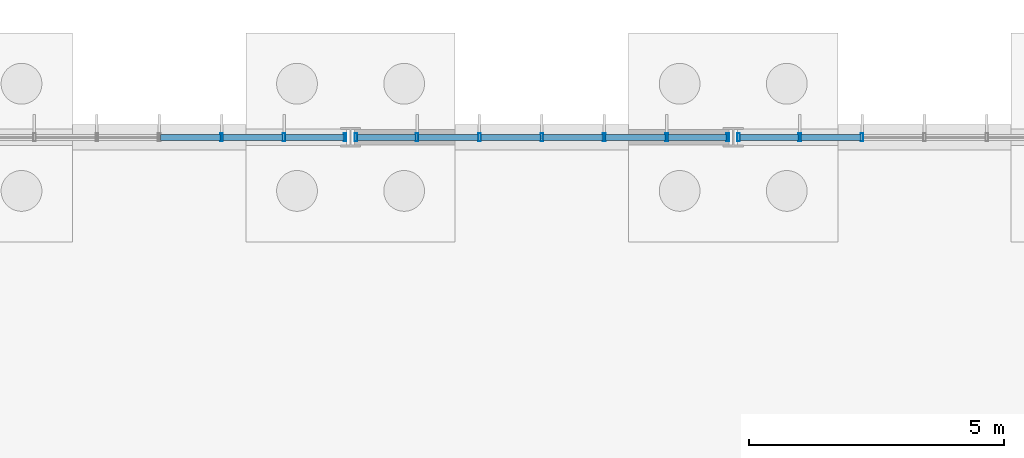
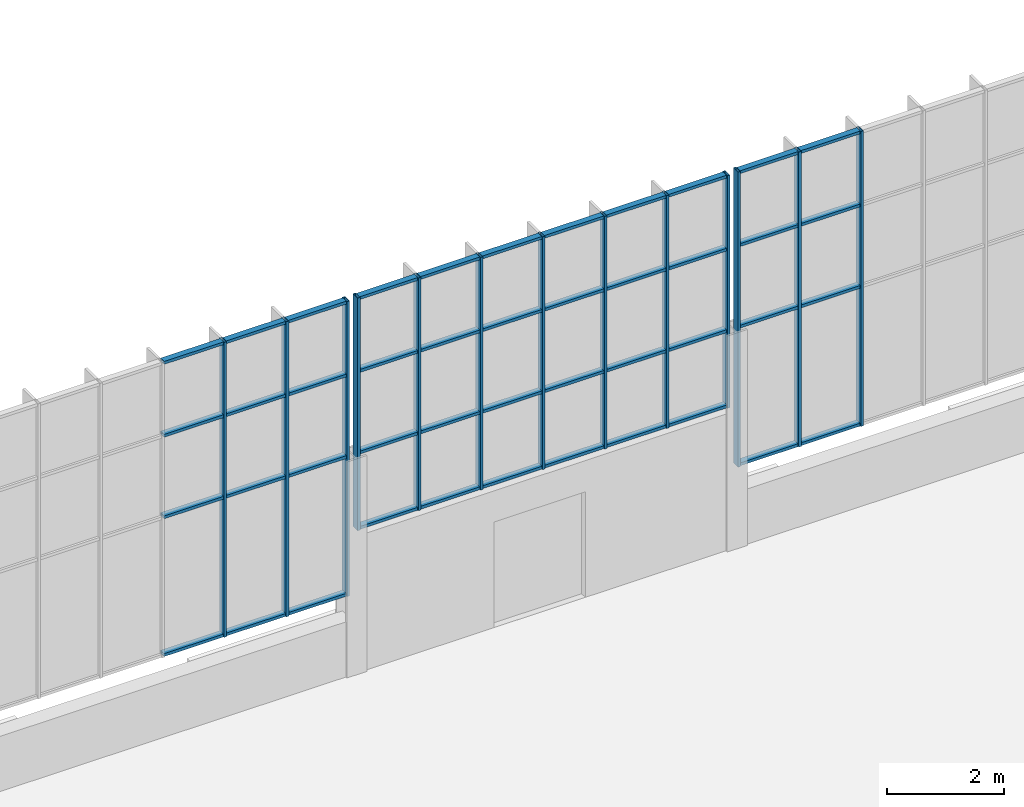
# One storey, part 68 of 136: 57 members, 3 elements without a shape of their own.
"""IFC4 building model written with IfcOpenShell, lengths in metres."""

import ifcopenshell
import ifcopenshell.guid

model = None  # the IFC model being written
_history = None  # IfcOwnerHistory: only IFC2X3 demands one
_inside = {}  # id of a spatial element -> (the spatial element, [elements in it])
_under = {}  # id of a project, library or spatial element -> (it, [spatial elements below it])
_declared = {}  # id of a project -> (the project, [libraries it declares])
_typed = {}  # id of a type object -> (the type object, [elements of that type])
_made_of = {}  # id of a material, layer set ... -> (it, [elements and type objects made of it])


def new_model(schema):
    """Start an empty IFC model of exactly this schema.

    Asked for "IFC4X3", IfcOpenShell would pick the latest addendum, in which some entities
    have other attributes; the version numbers below select the first issue.
    IFC2X3 requires an IfcOwnerHistory on every rooted entity: one is made here for all.
    """
    global model, _history
    if schema == "IFC4X3":
        model = ifcopenshell.file(schema_version=(4, 3, 0, 0))
    else:
        model = ifcopenshell.file(schema=schema)
    _inside.clear()
    _under.clear()
    _declared.clear()
    _typed.clear()
    _made_of.clear()
    _history = None
    if model.schema == "IFC2X3":
        org = make("IfcOrganization", Name="unknown")
        user = make(
            "IfcPersonAndOrganization",
            ThePerson=make("IfcPerson", FamilyName="unknown"),
            TheOrganization=org,
        )
        app = make(
            "IfcApplication",
            ApplicationDeveloper=org,
            Version="unknown",
            ApplicationFullName="unknown",
            ApplicationIdentifier="unknown",
        )
        _history = make(
            "IfcOwnerHistory",
            OwningUser=user,
            OwningApplication=app,
            ChangeAction="ADDED",
            CreationDate=0,
        )
    return model


def make(cls, **values):
    """One entity of the class cls with the attributes given. An attribute that is None is left unset."""
    return model.create_entity(
        cls, **{name: value for name, value in values.items() if value is not None}
    )


def rooted(cls, **values):
    """An entity with a GlobalId (a new one), such as an element, a storey or a relation."""
    return make(cls, GlobalId=ifcopenshell.guid.new(), OwnerHistory=_history, **values)


def si_unit(unit_type, name, prefix=None):
    """IfcSIUnit, for example si_unit("LENGTHUNIT", "METRE", prefix="MILLI")."""
    return make("IfcSIUnit", UnitType=unit_type, Prefix=prefix, Name=name)


def assignment(units):
    """IfcUnitAssignment: the units of a project."""
    return None if units is None else make("IfcUnitAssignment", Units=units)


def point(xyz):
    """IfcCartesianPoint."""
    return None if xyz is None else make("IfcCartesianPoint", Coordinates=xyz)


def direction(xyz):
    """IfcDirection."""
    return None if xyz is None else make("IfcDirection", DirectionRatios=xyz)


def frame(location, z_axis=None, x_axis=None):
    """IfcAxis2Placement3D, a coordinate frame: its origin and axes. An axis left out is left unset."""
    return make(
        "IfcAxis2Placement3D",
        Location=point(location),
        Axis=direction(z_axis),
        RefDirection=direction(x_axis),
    )


def frame_2d(location, x_axis=None):
    """IfcAxis2Placement2D, a coordinate frame in the plane: its origin and x axis."""
    return make(
        "IfcAxis2Placement2D", Location=point(location), RefDirection=direction(x_axis)
    )


def origin():
    """The frame at (0, 0, 0) with its axes left unset."""
    return frame((0.0, 0.0, 0.0))


def origin_2d():
    """The frame at (0, 0) in the plane with its x axis left unset."""
    return frame_2d((0.0, 0.0))


def place(relative_to, where):
    """IfcLocalPlacement: puts the frame where relative to a parent placement (None: the world)."""
    return make(
        "IfcLocalPlacement", PlacementRelTo=relative_to, RelativePlacement=where
    )


def context(
    kind, dimensions, precision=None, world=None, true_north=None, identifier=None
):
    """IfcGeometricRepresentationContext, for example the 3D "Model" context."""
    return make(
        "IfcGeometricRepresentationContext",
        ContextIdentifier=identifier,
        ContextType=kind,
        CoordinateSpaceDimension=dimensions,
        Precision=precision,
        WorldCoordinateSystem=world,
        TrueNorth=true_north,
    )


def subcontext(parent, identifier, kind, view, scale=None):
    """IfcGeometricRepresentationSubContext, for example "Body" below "Model"."""
    return make(
        "IfcGeometricRepresentationSubContext",
        ContextIdentifier=identifier,
        ContextType=kind,
        ParentContext=parent,
        TargetScale=scale,
        TargetView=view,
    )


def project(units=None, contexts=None):
    """IfcProject with its units and contexts."""
    return rooted(
        "IfcProject",
        Name="project",
        RepresentationContexts=contexts,
        UnitsInContext=assignment(units),
    )


def spatial(cls, under=None, at=None, **own):
    """A site, building, storey or space (cls), placed at a placement, below another one or the project."""
    s = rooted(cls, ObjectPlacement=at, **own)
    if under is not None:
        _under.setdefault(under.id(), (under, []))[1].append(s)
    return s


def profile(cls, at=None, kind="AREA", **sizes):
    """A parametric profile (cls). Its sizes go by their IFC names, for example OverallWidth=200.0."""
    return make(cls, ProfileType=kind, Position=at, **sizes)


def hollow_rectangle(**sizes):
    """IfcRectangleHollowProfileDef."""
    return profile("IfcRectangleHollowProfileDef", **sizes)


def extrude(swept, where, along, depth):
    """IfcExtrudedAreaSolid: the profile swept, set in the frame where, extruded along a direction by depth."""
    return make(
        "IfcExtrudedAreaSolid",
        SweptArea=swept,
        Position=where,
        ExtrudedDirection=direction(along),
        Depth=depth,
    )


def shape(context_of_items, identifier, shape_type, items):
    """IfcShapeRepresentation: the items that make up one representation, for example the "Body"."""
    return make(
        "IfcShapeRepresentation",
        ContextOfItems=context_of_items,
        RepresentationIdentifier=identifier,
        RepresentationType=shape_type,
        Items=items,
    )


def material(Name=None, Category=None):
    """IfcMaterial."""
    return make("IfcMaterial", Name=Name, Category=Category)


def layer(
    of_material, thickness, ventilated=None, Name=None, Category=None, Priority=None
):
    """IfcMaterialLayer: one layer of a wall or slab, of a material (None: an air gap)."""
    return make(
        "IfcMaterialLayer",
        Material=of_material,
        LayerThickness=thickness,
        IsVentilated=ventilated,
        Name=Name,
        Category=Category,
        Priority=Priority,
    )


def layer_set(layers, Name=None):
    """IfcMaterialLayerSet."""
    return make("IfcMaterialLayerSet", MaterialLayers=layers, LayerSetName=Name)


def material_profile(
    of_material, cross_section, Name=None, Category=None, Priority=None
):
    """IfcMaterialProfile: a cross section and its material."""
    return make(
        "IfcMaterialProfile",
        Name=Name,
        Material=of_material,
        Profile=cross_section,
        Priority=Priority,
        Category=Category,
    )


def profile_set(profiles, Name=None, composite=None):
    """IfcMaterialProfileSet."""
    return make(
        "IfcMaterialProfileSet",
        Name=Name,
        MaterialProfiles=profiles,
        CompositeProfile=composite,
    )


def made_of(thing, what):
    """Note that an element or type object is made of a material, layer set ...; save() writes the relation."""
    if what is not None:
        _made_of.setdefault(what.id(), (what, []))[1].append(thing)
    return thing


def type_object(cls, material=None, **own):
    """A type object (cls), such as IfcWallType, which elements share."""
    return made_of(rooted(cls, **own), material)


def element(
    cls,
    number,
    at=None,
    inside=None,
    cuts=None,
    type_object=None,
    material=None,
    context=None,
    identifier="Body",
    shape_type=None,
    held_by="IfcProductDefinitionShape",
    body=None,
    shapes=None,
    **own,
):
    """One element of the class cls, such as IfcWall. Its Tag is "e" and its number.

    at: its placement. inside: the storey or other place that contains it. cuts: it is an
    opening in that element (IfcRelVoidsElement). A single representation is given by context,
    identifier, shape_type and body (its items); several are given by shapes. held_by: the class
    of the entity that holds the representations. save() writes the other relations.
    """
    e = rooted(cls, Tag="e%d" % number, ObjectPlacement=at, **own)
    if body is not None:
        shapes = [shape(context, identifier, shape_type, body)]
    if shapes is not None:
        e.Representation = make(held_by, Representations=shapes)
    if inside is not None:
        _inside.setdefault(inside.id(), (inside, []))[1].append(e)
    if cuts is not None:
        rooted(
            "IfcRelVoidsElement", RelatingBuildingElement=cuts, RelatedOpeningElement=e
        )
    if type_object is not None:
        _typed.setdefault(type_object.id(), (type_object, []))[1].append(e)
    return made_of(e, material)


def aggregate(whole, parts):
    """IfcRelAggregates: a whole, such as a stair, and the parts it consists of."""
    return rooted("IfcRelAggregates", RelatingObject=whole, RelatedObjects=parts)


def save(model, path):
    """Write the relations noted so far, then the file.

    IfcRelAggregates (storeys below a building ...), IfcRelContainedInSpatialStructure (elements
    in a storey), IfcRelDefinesByType, IfcRelAssociatesMaterial and IfcRelDeclares: one each for
    every whole, place, type object, material and project.
    """
    for whole, parts in _under.values():
        aggregate(whole, parts)
    for where, things in _inside.values():
        rooted(
            "IfcRelContainedInSpatialStructure",
            RelatedElements=things,
            RelatingStructure=where,
        )
    for kind, things in _typed.values():
        rooted("IfcRelDefinesByType", RelatedObjects=things, RelatingType=kind)
    for what, things in _made_of.values():
        rooted("IfcRelAssociatesMaterial", RelatedObjects=things, RelatingMaterial=what)
    for by, libraries in _declared.values():
        rooted("IfcRelDeclares", RelatingContext=by, RelatedDefinitions=libraries)
    model.write(path)


model = new_model("IFC4")

# Units and contexts
model_context = context("Model", 3, precision=1e-05, world=origin(), true_north=direction((0.0, 1.0)))
body_context = subcontext(model_context, "Body", "Model", "MODEL_VIEW")
ifc_project = project(units=[si_unit("LENGTHUNIT", "METRE"), si_unit("AREAUNIT", "SQUARE_METRE"), si_unit("VOLUMEUNIT", "CUBIC_METRE"), si_unit("PLANEANGLEUNIT", "RADIAN"), si_unit("MASSUNIT", "GRAM", prefix="KILO")], contexts=[model_context])

# Site, building, storey
site_placement = place(None, origin())
site = spatial("IfcSite", under=ifc_project, at=site_placement, CompositionType="ELEMENT")
building_placement = place(site_placement, origin())
building = spatial("IfcBuilding", under=site, at=building_placement, Name="Solvenia Promenade Tram Depot", CompositionType="ELEMENT")
storey_placement = place(building_placement, origin())
storey = spatial("IfcBuildingStorey", under=building, at=storey_placement, Name="L00", CompositionType="ELEMENT", Elevation=0.0)

# Curtain wall, members
ifc_material = material(Name="Anodized aluminium AW-6063 T6", Category="aluminium")
ifc_layer = layer(ifc_material, 0.159912109375, Name="Anodized aluminium AW-6063 T6", Category="aluminium")
ifc_layer_set = layer_set([ifc_layer], Name="Anodized aluminium AW-6063 T6")
curtain_wall_type = type_object("IfcCurtainWallType", Name="CW-Channel-1200", PredefinedType="NOTDEFINED", material=ifc_layer_set)
curtain_wall_1_placement = place(storey_placement, origin())
curtain_wall_1 = element("IfcCurtainWall", 1, at=curtain_wall_1_placement, inside=storey, type_object=curtain_wall_type, Name="North Translucent Channel-Glass Wall 15", PredefinedType="NOTDEFINED")
ifc_material_profile_1 = material_profile(ifc_material, hollow_rectangle(XDim=0.159912109375, YDim=0.052001953125, WallThickness=0.00390625, at=origin_2d()), Name="ALU-M1", Category="aluminium")
ifc_profile_set_1 = profile_set([ifc_material_profile_1], Name="Anodized aluminium AW-6063 T6")
member_type_1 = type_object("IfcMemberType", Name="CWM-Mullion-1", PredefinedType="MULLION", material=ifc_profile_set_1)
member_1_placement = place(storey_placement, frame((109.973388671875, 126.0, 1.60009765625), z_axis=(0.0, 0.0, 1.0), x_axis=(0.0, 1.0, 0.0)))
member_1 = element("IfcMember", 2, at=member_1_placement, type_object=member_type_1, Name="CW-1 mullion 5", PredefinedType="MULLION", context=body_context, shape_type="SweptSolid", body=[
    extrude(hollow_rectangle(XDim=0.159912109375, YDim=0.052001953125, WallThickness=0.00390625, at=origin_2d()), origin(), (0.0, 0.0, 1.0), 6.14990234375),
])
member_2_placement = place(storey_placement, frame((111.19677734375, 126.0, 1.60009765625), z_axis=(0.0, 0.0, 1.0), x_axis=(0.0, 1.0, 0.0)))
member_2 = element("IfcMember", 3, at=member_2_placement, type_object=member_type_1, Name="CW-1 mullion 6", PredefinedType="MULLION", context=body_context, shape_type="SweptSolid", body=[
    extrude(hollow_rectangle(XDim=0.159912109375, YDim=0.052001953125, WallThickness=0.00390625, at=origin_2d()), origin(), (0.0, 0.0, 1.0), 6.14990234375),
])
member_3_placement = place(storey_placement, frame((112.39404296875, 126.0, 1.60009765625), z_axis=(0.0, 0.0, 1.0), x_axis=(0.0, 1.0, 0.0)))
member_3 = element("IfcMember", 4, at=member_3_placement, type_object=member_type_1, Name="CW-1 mullion 7", PredefinedType="MULLION", context=body_context, shape_type="SweptSolid", body=[
    extrude(hollow_rectangle(XDim=0.159912109375, YDim=0.052001953125, WallThickness=0.00390625, at=origin_2d()), origin(), (0.0, 0.0, 1.0), 6.14990234375),
])

curtain_wall_2_placement = place(storey_placement, origin())
curtain_wall_2 = element("IfcCurtainWall", 5, at=curtain_wall_2_placement, inside=storey, type_object=curtain_wall_type, Name="North Translucent Channel-Glass Wall 16", PredefinedType="NOTDEFINED")
member_4_placement = place(storey_placement, frame((112.60595703125, 126.0, 2.89990234375), z_axis=(0.0, 0.0, 1.0), x_axis=(0.0, 1.0, 0.0)))
member_4 = element("IfcMember", 6, at=member_4_placement, type_object=member_type_1, Name="CW-1 mullion 1", PredefinedType="MULLION", context=body_context, shape_type="SweptSolid", body=[
    extrude(hollow_rectangle(XDim=0.159912109375, YDim=0.052001953125, WallThickness=0.00390625, at=origin_2d()), origin(), (0.0, 0.0, 1.0), 4.85009765625),
])
member_5_placement = place(storey_placement, frame((113.80322265625, 126.0, 2.89990234375), z_axis=(0.0, 0.0, 1.0), x_axis=(0.0, 1.0, 0.0)))
member_5 = element("IfcMember", 7, at=member_5_placement, type_object=member_type_1, Name="CW-1 mullion 2", PredefinedType="MULLION", context=body_context, shape_type="SweptSolid", body=[
    extrude(hollow_rectangle(XDim=0.159912109375, YDim=0.052001953125, WallThickness=0.00390625, at=origin_2d()), origin(), (0.0, 0.0, 1.0), 4.85009765625),
])
member_6_placement = place(storey_placement, frame((115.026611328125, 126.0, 2.89990234375), z_axis=(0.0, 0.0, 1.0), x_axis=(0.0, 1.0, 0.0)))
member_6 = element("IfcMember", 8, at=member_6_placement, type_object=member_type_1, Name="CW-1 mullion 3", PredefinedType="MULLION", context=body_context, shape_type="SweptSolid", body=[
    extrude(hollow_rectangle(XDim=0.159912109375, YDim=0.052001953125, WallThickness=0.00390625, at=origin_2d()), origin(), (0.0, 0.0, 1.0), 4.85009765625),
])
member_7_placement = place(storey_placement, frame((116.25, 126.0, 2.89990234375), z_axis=(0.0, 0.0, 1.0), x_axis=(0.0, 1.0, 0.0)))
member_7 = element("IfcMember", 9, at=member_7_placement, type_object=member_type_1, Name="CW-1 mullion 4", PredefinedType="MULLION", context=body_context, shape_type="SweptSolid", body=[
    extrude(hollow_rectangle(XDim=0.159912109375, YDim=0.052001953125, WallThickness=0.00390625, at=origin_2d()), origin(), (0.0, 0.0, 1.0), 4.85009765625),
])
member_8_placement = place(storey_placement, frame((117.473388671875, 126.0, 2.89990234375), z_axis=(0.0, 0.0, 1.0), x_axis=(0.0, 1.0, 0.0)))
member_8 = element("IfcMember", 10, at=member_8_placement, type_object=member_type_1, Name="CW-1 mullion 5", PredefinedType="MULLION", context=body_context, shape_type="SweptSolid", body=[
    extrude(hollow_rectangle(XDim=0.159912109375, YDim=0.052001953125, WallThickness=0.00390625, at=origin_2d()), origin(), (0.0, 0.0, 1.0), 4.85009765625),
])
member_9_placement = place(storey_placement, frame((118.69677734375, 126.0, 2.89990234375), z_axis=(0.0, 0.0, 1.0), x_axis=(0.0, 1.0, 0.0)))
member_9 = element("IfcMember", 11, at=member_9_placement, type_object=member_type_1, Name="CW-1 mullion 6", PredefinedType="MULLION", context=body_context, shape_type="SweptSolid", body=[
    extrude(hollow_rectangle(XDim=0.159912109375, YDim=0.052001953125, WallThickness=0.00390625, at=origin_2d()), origin(), (0.0, 0.0, 1.0), 4.85009765625),
])
member_10_placement = place(storey_placement, frame((119.89404296875, 126.0, 2.89990234375), z_axis=(0.0, 0.0, 1.0), x_axis=(0.0, 1.0, 0.0)))
member_10 = element("IfcMember", 12, at=member_10_placement, type_object=member_type_1, Name="CW-1 mullion 7", PredefinedType="MULLION", context=body_context, shape_type="SweptSolid", body=[
    extrude(hollow_rectangle(XDim=0.159912109375, YDim=0.052001953125, WallThickness=0.00390625, at=origin_2d()), origin(), (0.0, 0.0, 1.0), 4.85009765625),
])

curtain_wall_3_placement = place(storey_placement, origin())
curtain_wall_3 = element("IfcCurtainWall", 13, at=curtain_wall_3_placement, inside=storey, type_object=curtain_wall_type, Name="North Translucent Channel-Glass Wall 17", PredefinedType="NOTDEFINED")
member_11_placement = place(storey_placement, frame((120.10595703125, 126.0, 1.60009765625), z_axis=(0.0, 0.0, 1.0), x_axis=(0.0, 1.0, 0.0)))
member_11 = element("IfcMember", 14, at=member_11_placement, type_object=member_type_1, Name="CW-1 mullion 1", PredefinedType="MULLION", context=body_context, shape_type="SweptSolid", body=[
    extrude(hollow_rectangle(XDim=0.159912109375, YDim=0.052001953125, WallThickness=0.00390625, at=origin_2d()), origin(), (0.0, 0.0, 1.0), 6.14990234375),
])
member_12_placement = place(storey_placement, frame((121.30322265625, 126.0, 1.60009765625), z_axis=(0.0, 0.0, 1.0), x_axis=(0.0, 1.0, 0.0)))
member_12 = element("IfcMember", 15, at=member_12_placement, type_object=member_type_1, Name="CW-1 mullion 2", PredefinedType="MULLION", context=body_context, shape_type="SweptSolid", body=[
    extrude(hollow_rectangle(XDim=0.159912109375, YDim=0.052001953125, WallThickness=0.00390625, at=origin_2d()), origin(), (0.0, 0.0, 1.0), 6.14990234375),
])
member_13_placement = place(storey_placement, frame((122.526611328125, 126.0, 1.60009765625), z_axis=(0.0, 0.0, 1.0), x_axis=(0.0, 1.0, 0.0)))
member_13 = element("IfcMember", 16, at=member_13_placement, type_object=member_type_1, Name="CW-1 mullion 3", PredefinedType="MULLION", context=body_context, shape_type="SweptSolid", body=[
    extrude(hollow_rectangle(XDim=0.159912109375, YDim=0.052001953125, WallThickness=0.00390625, at=origin_2d()), origin(), (0.0, 0.0, 1.0), 6.14990234375),
])

# Member
ifc_material_profile_2 = material_profile(ifc_material, hollow_rectangle(XDim=0.1201171875, YDim=0.06005859375, WallThickness=0.00390625, at=origin_2d()), Name="ALU-T1", Category="aluminium")
ifc_profile_set_2 = profile_set([ifc_material_profile_2], Name="Anodized aluminium AW-6063 T6")
member_type_2 = type_object("IfcMemberType", Name="CWT-Transom-1", PredefinedType="USERDEFINED", material=ifc_profile_set_2)
member_14_placement = place(storey_placement, frame((108.77587890625, 126.0, 1.6298828125), z_axis=(1.0, 0.0, 0.0), x_axis=(0.0, 1.0, 0.0)))
member_14 = element("IfcMember", 17, at=member_14_placement, type_object=member_type_2, Name="CW-1 transom 4.1", ObjectType="TRANSOM", PredefinedType="USERDEFINED", context=body_context, shape_type="SweptSolid", body=[
    extrude(hollow_rectangle(XDim=0.1201171875, YDim=0.06005859375, WallThickness=0.00390625, at=origin_2d()), origin(), (0.0, 0.0, 1.0), 1.17138671875),
])

member_15_placement = place(storey_placement, frame((108.77587890625, 126.0, 4.5), z_axis=(1.0, 0.0, 0.0), x_axis=(0.0, 1.0, 0.0)))
member_15 = element("IfcMember", 18, at=member_15_placement, type_object=member_type_2, Name="CW-1 transom 4.2", ObjectType="TRANSOM", PredefinedType="USERDEFINED", context=body_context, shape_type="SweptSolid", body=[
    extrude(hollow_rectangle(XDim=0.1201171875, YDim=0.06005859375, WallThickness=0.00390625, at=origin_2d()), origin(), (0.0, 0.0, 1.0), 1.17138671875),
])

member_16_placement = place(storey_placement, frame((108.77587890625, 126.0, 6.199951171875), z_axis=(1.0, 0.0, 0.0), x_axis=(0.0, 1.0, 0.0)))
member_16 = element("IfcMember", 19, at=member_16_placement, type_object=member_type_2, Name="CW-1 transom 4.3", ObjectType="TRANSOM", PredefinedType="USERDEFINED", context=body_context, shape_type="SweptSolid", body=[
    extrude(hollow_rectangle(XDim=0.1201171875, YDim=0.06005859375, WallThickness=0.00390625, at=origin_2d()), origin(), (0.0, 0.0, 1.0), 1.17138671875),
])

member_17_placement = place(storey_placement, frame((108.77587890625, 126.0, 7.719970703125), z_axis=(1.0, 0.0, 0.0), x_axis=(0.0, 1.0, 0.0)))
member_17 = element("IfcMember", 20, at=member_17_placement, type_object=member_type_2, Name="CW-1 transom 4.4", ObjectType="TRANSOM", PredefinedType="USERDEFINED", context=body_context, shape_type="SweptSolid", body=[
    extrude(hollow_rectangle(XDim=0.1201171875, YDim=0.06005859375, WallThickness=0.00390625, at=origin_2d()), origin(), (0.0, 0.0, 1.0), 1.17138671875),
])

member_18_placement = place(storey_placement, frame((109.999267578125, 126.0, 1.6298828125), z_axis=(1.0, 0.0, 0.0), x_axis=(0.0, 1.0, 0.0)))
member_18 = element("IfcMember", 21, at=member_18_placement, type_object=member_type_2, Name="CW-1 transom 5.1", ObjectType="TRANSOM", PredefinedType="USERDEFINED", context=body_context, shape_type="SweptSolid", body=[
    extrude(hollow_rectangle(XDim=0.1201171875, YDim=0.06005859375, WallThickness=0.00390625, at=origin_2d()), origin(), (0.0, 0.0, 1.0), 1.17138671875),
])

member_19_placement = place(storey_placement, frame((109.999267578125, 126.0, 4.5), z_axis=(1.0, 0.0, 0.0), x_axis=(0.0, 1.0, 0.0)))
member_19 = element("IfcMember", 22, at=member_19_placement, type_object=member_type_2, Name="CW-1 transom 5.2", ObjectType="TRANSOM", PredefinedType="USERDEFINED", context=body_context, shape_type="SweptSolid", body=[
    extrude(hollow_rectangle(XDim=0.1201171875, YDim=0.06005859375, WallThickness=0.00390625, at=origin_2d()), origin(), (0.0, 0.0, 1.0), 1.17138671875),
])

member_20_placement = place(storey_placement, frame((109.999267578125, 126.0, 6.199951171875), z_axis=(1.0, 0.0, 0.0), x_axis=(0.0, 1.0, 0.0)))
member_20 = element("IfcMember", 23, at=member_20_placement, type_object=member_type_2, Name="CW-1 transom 5.3", ObjectType="TRANSOM", PredefinedType="USERDEFINED", context=body_context, shape_type="SweptSolid", body=[
    extrude(hollow_rectangle(XDim=0.1201171875, YDim=0.06005859375, WallThickness=0.00390625, at=origin_2d()), origin(), (0.0, 0.0, 1.0), 1.17138671875),
])

member_21_placement = place(storey_placement, frame((109.999267578125, 126.0, 7.719970703125), z_axis=(1.0, 0.0, 0.0), x_axis=(0.0, 1.0, 0.0)))
member_21 = element("IfcMember", 24, at=member_21_placement, type_object=member_type_2, Name="CW-1 transom 5.4", ObjectType="TRANSOM", PredefinedType="USERDEFINED", context=body_context, shape_type="SweptSolid", body=[
    extrude(hollow_rectangle(XDim=0.1201171875, YDim=0.06005859375, WallThickness=0.00390625, at=origin_2d()), origin(), (0.0, 0.0, 1.0), 1.17138671875),
])

member_22_placement = place(storey_placement, frame((111.22265625, 126.0, 1.6298828125), z_axis=(1.0, 0.0, 0.0), x_axis=(0.0, 1.0, 0.0)))
member_22 = element("IfcMember", 25, at=member_22_placement, type_object=member_type_2, Name="CW-1 transom 6.1", ObjectType="TRANSOM", PredefinedType="USERDEFINED", context=body_context, shape_type="SweptSolid", body=[
    extrude(hollow_rectangle(XDim=0.1201171875, YDim=0.06005859375, WallThickness=0.00390625, at=origin_2d()), origin(), (0.0, 0.0, 1.0), 1.145263671875),
])

member_23_placement = place(storey_placement, frame((111.22265625, 126.0, 4.5), z_axis=(1.0, 0.0, 0.0), x_axis=(0.0, 1.0, 0.0)))
member_23 = element("IfcMember", 26, at=member_23_placement, type_object=member_type_2, Name="CW-1 transom 6.2", ObjectType="TRANSOM", PredefinedType="USERDEFINED", context=body_context, shape_type="SweptSolid", body=[
    extrude(hollow_rectangle(XDim=0.1201171875, YDim=0.06005859375, WallThickness=0.00390625, at=origin_2d()), origin(), (0.0, 0.0, 1.0), 1.145263671875),
])

member_24_placement = place(storey_placement, frame((111.22265625, 126.0, 6.199951171875), z_axis=(1.0, 0.0, 0.0), x_axis=(0.0, 1.0, 0.0)))
member_24 = element("IfcMember", 27, at=member_24_placement, type_object=member_type_2, Name="CW-1 transom 6.3", ObjectType="TRANSOM", PredefinedType="USERDEFINED", context=body_context, shape_type="SweptSolid", body=[
    extrude(hollow_rectangle(XDim=0.1201171875, YDim=0.06005859375, WallThickness=0.00390625, at=origin_2d()), origin(), (0.0, 0.0, 1.0), 1.145263671875),
])

member_25_placement = place(storey_placement, frame((111.22265625, 126.0, 7.719970703125), z_axis=(1.0, 0.0, 0.0), x_axis=(0.0, 1.0, 0.0)))
member_25 = element("IfcMember", 28, at=member_25_placement, type_object=member_type_2, Name="CW-1 transom 6.4", ObjectType="TRANSOM", PredefinedType="USERDEFINED", context=body_context, shape_type="SweptSolid", body=[
    extrude(hollow_rectangle(XDim=0.1201171875, YDim=0.06005859375, WallThickness=0.00390625, at=origin_2d()), origin(), (0.0, 0.0, 1.0), 1.145263671875),
])

aggregate(curtain_wall_1, [member_1, member_2, member_3, member_14, member_15, member_16, member_17, member_18, member_19, member_20, member_21, member_22, member_23, member_24, member_25])

member_26_placement = place(storey_placement, frame((112.632080078125, 126.0, 2.929931640625), z_axis=(1.0, 0.0, 0.0), x_axis=(0.0, 1.0, 0.0)))
member_26 = element("IfcMember", 29, at=member_26_placement, type_object=member_type_2, Name="CW-1 transom 1.1", ObjectType="TRANSOM", PredefinedType="USERDEFINED", context=body_context, shape_type="SweptSolid", body=[
    extrude(hollow_rectangle(XDim=0.1201171875, YDim=0.06005859375, WallThickness=0.00390625, at=origin_2d()), origin(), (0.0, 0.0, 1.0), 1.145263671875),
])

member_27_placement = place(storey_placement, frame((112.632080078125, 126.0, 4.5), z_axis=(1.0, 0.0, 0.0), x_axis=(0.0, 1.0, 0.0)))
member_27 = element("IfcMember", 30, at=member_27_placement, type_object=member_type_2, Name="CW-1 transom 1.2", ObjectType="TRANSOM", PredefinedType="USERDEFINED", context=body_context, shape_type="SweptSolid", body=[
    extrude(hollow_rectangle(XDim=0.1201171875, YDim=0.06005859375, WallThickness=0.00390625, at=origin_2d()), origin(), (0.0, 0.0, 1.0), 1.145263671875),
])

member_28_placement = place(storey_placement, frame((112.632080078125, 126.0, 6.199951171875), z_axis=(1.0, 0.0, 0.0), x_axis=(0.0, 1.0, 0.0)))
member_28 = element("IfcMember", 31, at=member_28_placement, type_object=member_type_2, Name="CW-1 transom 1.3", ObjectType="TRANSOM", PredefinedType="USERDEFINED", context=body_context, shape_type="SweptSolid", body=[
    extrude(hollow_rectangle(XDim=0.1201171875, YDim=0.06005859375, WallThickness=0.00390625, at=origin_2d()), origin(), (0.0, 0.0, 1.0), 1.145263671875),
])

member_29_placement = place(storey_placement, frame((112.632080078125, 126.0, 7.719970703125), z_axis=(1.0, 0.0, 0.0), x_axis=(0.0, 1.0, 0.0)))
member_29 = element("IfcMember", 32, at=member_29_placement, type_object=member_type_2, Name="CW-1 transom 1.4", ObjectType="TRANSOM", PredefinedType="USERDEFINED", context=body_context, shape_type="SweptSolid", body=[
    extrude(hollow_rectangle(XDim=0.1201171875, YDim=0.06005859375, WallThickness=0.00390625, at=origin_2d()), origin(), (0.0, 0.0, 1.0), 1.145263671875),
])

member_30_placement = place(storey_placement, frame((113.829345703125, 126.0, 2.929931640625), z_axis=(1.0, 0.0, 0.0), x_axis=(0.0, 1.0, 0.0)))
member_30 = element("IfcMember", 33, at=member_30_placement, type_object=member_type_2, Name="CW-1 transom 2.1", ObjectType="TRANSOM", PredefinedType="USERDEFINED", context=body_context, shape_type="SweptSolid", body=[
    extrude(hollow_rectangle(XDim=0.1201171875, YDim=0.06005859375, WallThickness=0.00390625, at=origin_2d()), origin(), (0.0, 0.0, 1.0), 1.17138671875),
])

member_31_placement = place(storey_placement, frame((113.829345703125, 126.0, 4.5), z_axis=(1.0, 0.0, 0.0), x_axis=(0.0, 1.0, 0.0)))
member_31 = element("IfcMember", 34, at=member_31_placement, type_object=member_type_2, Name="CW-1 transom 2.2", ObjectType="TRANSOM", PredefinedType="USERDEFINED", context=body_context, shape_type="SweptSolid", body=[
    extrude(hollow_rectangle(XDim=0.1201171875, YDim=0.06005859375, WallThickness=0.00390625, at=origin_2d()), origin(), (0.0, 0.0, 1.0), 1.17138671875),
])

member_32_placement = place(storey_placement, frame((113.829345703125, 126.0, 6.199951171875), z_axis=(1.0, 0.0, 0.0), x_axis=(0.0, 1.0, 0.0)))
member_32 = element("IfcMember", 35, at=member_32_placement, type_object=member_type_2, Name="CW-1 transom 2.3", ObjectType="TRANSOM", PredefinedType="USERDEFINED", context=body_context, shape_type="SweptSolid", body=[
    extrude(hollow_rectangle(XDim=0.1201171875, YDim=0.06005859375, WallThickness=0.00390625, at=origin_2d()), origin(), (0.0, 0.0, 1.0), 1.17138671875),
])

member_33_placement = place(storey_placement, frame((113.829345703125, 126.0, 7.719970703125), z_axis=(1.0, 0.0, 0.0), x_axis=(0.0, 1.0, 0.0)))
member_33 = element("IfcMember", 36, at=member_33_placement, type_object=member_type_2, Name="CW-1 transom 2.4", ObjectType="TRANSOM", PredefinedType="USERDEFINED", context=body_context, shape_type="SweptSolid", body=[
    extrude(hollow_rectangle(XDim=0.1201171875, YDim=0.06005859375, WallThickness=0.00390625, at=origin_2d()), origin(), (0.0, 0.0, 1.0), 1.17138671875),
])

member_34_placement = place(storey_placement, frame((115.052734375, 126.0, 2.929931640625), z_axis=(1.0, 0.0, 0.0), x_axis=(0.0, 1.0, 0.0)))
member_34 = element("IfcMember", 37, at=member_34_placement, type_object=member_type_2, Name="CW-1 transom 3.1", ObjectType="TRANSOM", PredefinedType="USERDEFINED", context=body_context, shape_type="SweptSolid", body=[
    extrude(hollow_rectangle(XDim=0.1201171875, YDim=0.06005859375, WallThickness=0.00390625, at=origin_2d()), origin(), (0.0, 0.0, 1.0), 1.17138671875),
])

member_35_placement = place(storey_placement, frame((115.052734375, 126.0, 4.5), z_axis=(1.0, 0.0, 0.0), x_axis=(0.0, 1.0, 0.0)))
member_35 = element("IfcMember", 38, at=member_35_placement, type_object=member_type_2, Name="CW-1 transom 3.2", ObjectType="TRANSOM", PredefinedType="USERDEFINED", context=body_context, shape_type="SweptSolid", body=[
    extrude(hollow_rectangle(XDim=0.1201171875, YDim=0.06005859375, WallThickness=0.00390625, at=origin_2d()), origin(), (0.0, 0.0, 1.0), 1.17138671875),
])

member_36_placement = place(storey_placement, frame((115.052734375, 126.0, 6.199951171875), z_axis=(1.0, 0.0, 0.0), x_axis=(0.0, 1.0, 0.0)))
member_36 = element("IfcMember", 39, at=member_36_placement, type_object=member_type_2, Name="CW-1 transom 3.3", ObjectType="TRANSOM", PredefinedType="USERDEFINED", context=body_context, shape_type="SweptSolid", body=[
    extrude(hollow_rectangle(XDim=0.1201171875, YDim=0.06005859375, WallThickness=0.00390625, at=origin_2d()), origin(), (0.0, 0.0, 1.0), 1.17138671875),
])

member_37_placement = place(storey_placement, frame((115.052734375, 126.0, 7.719970703125), z_axis=(1.0, 0.0, 0.0), x_axis=(0.0, 1.0, 0.0)))
member_37 = element("IfcMember", 40, at=member_37_placement, type_object=member_type_2, Name="CW-1 transom 3.4", ObjectType="TRANSOM", PredefinedType="USERDEFINED", context=body_context, shape_type="SweptSolid", body=[
    extrude(hollow_rectangle(XDim=0.1201171875, YDim=0.06005859375, WallThickness=0.00390625, at=origin_2d()), origin(), (0.0, 0.0, 1.0), 1.17138671875),
])

member_38_placement = place(storey_placement, frame((116.27587890625, 126.0, 2.929931640625), z_axis=(1.0, 0.0, 0.0), x_axis=(0.0, 1.0, 0.0)))
member_38 = element("IfcMember", 41, at=member_38_placement, type_object=member_type_2, Name="CW-1 transom 4.1", ObjectType="TRANSOM", PredefinedType="USERDEFINED", context=body_context, shape_type="SweptSolid", body=[
    extrude(hollow_rectangle(XDim=0.1201171875, YDim=0.06005859375, WallThickness=0.00390625, at=origin_2d()), origin(), (0.0, 0.0, 1.0), 1.17138671875),
])

member_39_placement = place(storey_placement, frame((116.27587890625, 126.0, 4.5), z_axis=(1.0, 0.0, 0.0), x_axis=(0.0, 1.0, 0.0)))
member_39 = element("IfcMember", 42, at=member_39_placement, type_object=member_type_2, Name="CW-1 transom 4.2", ObjectType="TRANSOM", PredefinedType="USERDEFINED", context=body_context, shape_type="SweptSolid", body=[
    extrude(hollow_rectangle(XDim=0.1201171875, YDim=0.06005859375, WallThickness=0.00390625, at=origin_2d()), origin(), (0.0, 0.0, 1.0), 1.17138671875),
])

member_40_placement = place(storey_placement, frame((116.27587890625, 126.0, 6.199951171875), z_axis=(1.0, 0.0, 0.0), x_axis=(0.0, 1.0, 0.0)))
member_40 = element("IfcMember", 43, at=member_40_placement, type_object=member_type_2, Name="CW-1 transom 4.3", ObjectType="TRANSOM", PredefinedType="USERDEFINED", context=body_context, shape_type="SweptSolid", body=[
    extrude(hollow_rectangle(XDim=0.1201171875, YDim=0.06005859375, WallThickness=0.00390625, at=origin_2d()), origin(), (0.0, 0.0, 1.0), 1.17138671875),
])

member_41_placement = place(storey_placement, frame((116.27587890625, 126.0, 7.719970703125), z_axis=(1.0, 0.0, 0.0), x_axis=(0.0, 1.0, 0.0)))
member_41 = element("IfcMember", 44, at=member_41_placement, type_object=member_type_2, Name="CW-1 transom 4.4", ObjectType="TRANSOM", PredefinedType="USERDEFINED", context=body_context, shape_type="SweptSolid", body=[
    extrude(hollow_rectangle(XDim=0.1201171875, YDim=0.06005859375, WallThickness=0.00390625, at=origin_2d()), origin(), (0.0, 0.0, 1.0), 1.17138671875),
])

member_42_placement = place(storey_placement, frame((117.499267578125, 126.0, 2.929931640625), z_axis=(1.0, 0.0, 0.0), x_axis=(0.0, 1.0, 0.0)))
member_42 = element("IfcMember", 45, at=member_42_placement, type_object=member_type_2, Name="CW-1 transom 5.1", ObjectType="TRANSOM", PredefinedType="USERDEFINED", context=body_context, shape_type="SweptSolid", body=[
    extrude(hollow_rectangle(XDim=0.1201171875, YDim=0.06005859375, WallThickness=0.00390625, at=origin_2d()), origin(), (0.0, 0.0, 1.0), 1.17138671875),
])

member_43_placement = place(storey_placement, frame((117.499267578125, 126.0, 4.5), z_axis=(1.0, 0.0, 0.0), x_axis=(0.0, 1.0, 0.0)))
member_43 = element("IfcMember", 46, at=member_43_placement, type_object=member_type_2, Name="CW-1 transom 5.2", ObjectType="TRANSOM", PredefinedType="USERDEFINED", context=body_context, shape_type="SweptSolid", body=[
    extrude(hollow_rectangle(XDim=0.1201171875, YDim=0.06005859375, WallThickness=0.00390625, at=origin_2d()), origin(), (0.0, 0.0, 1.0), 1.17138671875),
])

member_44_placement = place(storey_placement, frame((117.499267578125, 126.0, 6.199951171875), z_axis=(1.0, 0.0, 0.0), x_axis=(0.0, 1.0, 0.0)))
member_44 = element("IfcMember", 47, at=member_44_placement, type_object=member_type_2, Name="CW-1 transom 5.3", ObjectType="TRANSOM", PredefinedType="USERDEFINED", context=body_context, shape_type="SweptSolid", body=[
    extrude(hollow_rectangle(XDim=0.1201171875, YDim=0.06005859375, WallThickness=0.00390625, at=origin_2d()), origin(), (0.0, 0.0, 1.0), 1.17138671875),
])

member_45_placement = place(storey_placement, frame((117.499267578125, 126.0, 7.719970703125), z_axis=(1.0, 0.0, 0.0), x_axis=(0.0, 1.0, 0.0)))
member_45 = element("IfcMember", 48, at=member_45_placement, type_object=member_type_2, Name="CW-1 transom 5.4", ObjectType="TRANSOM", PredefinedType="USERDEFINED", context=body_context, shape_type="SweptSolid", body=[
    extrude(hollow_rectangle(XDim=0.1201171875, YDim=0.06005859375, WallThickness=0.00390625, at=origin_2d()), origin(), (0.0, 0.0, 1.0), 1.17138671875),
])

member_46_placement = place(storey_placement, frame((118.72265625, 126.0, 2.929931640625), z_axis=(1.0, 0.0, 0.0), x_axis=(0.0, 1.0, 0.0)))
member_46 = element("IfcMember", 49, at=member_46_placement, type_object=member_type_2, Name="CW-1 transom 6.1", ObjectType="TRANSOM", PredefinedType="USERDEFINED", context=body_context, shape_type="SweptSolid", body=[
    extrude(hollow_rectangle(XDim=0.1201171875, YDim=0.06005859375, WallThickness=0.00390625, at=origin_2d()), origin(), (0.0, 0.0, 1.0), 1.145263671875),
])

member_47_placement = place(storey_placement, frame((118.72265625, 126.0, 4.5), z_axis=(1.0, 0.0, 0.0), x_axis=(0.0, 1.0, 0.0)))
member_47 = element("IfcMember", 50, at=member_47_placement, type_object=member_type_2, Name="CW-1 transom 6.2", ObjectType="TRANSOM", PredefinedType="USERDEFINED", context=body_context, shape_type="SweptSolid", body=[
    extrude(hollow_rectangle(XDim=0.1201171875, YDim=0.06005859375, WallThickness=0.00390625, at=origin_2d()), origin(), (0.0, 0.0, 1.0), 1.145263671875),
])

member_48_placement = place(storey_placement, frame((118.72265625, 126.0, 6.199951171875), z_axis=(1.0, 0.0, 0.0), x_axis=(0.0, 1.0, 0.0)))
member_48 = element("IfcMember", 51, at=member_48_placement, type_object=member_type_2, Name="CW-1 transom 6.3", ObjectType="TRANSOM", PredefinedType="USERDEFINED", context=body_context, shape_type="SweptSolid", body=[
    extrude(hollow_rectangle(XDim=0.1201171875, YDim=0.06005859375, WallThickness=0.00390625, at=origin_2d()), origin(), (0.0, 0.0, 1.0), 1.145263671875),
])

member_49_placement = place(storey_placement, frame((118.72265625, 126.0, 7.719970703125), z_axis=(1.0, 0.0, 0.0), x_axis=(0.0, 1.0, 0.0)))
member_49 = element("IfcMember", 52, at=member_49_placement, type_object=member_type_2, Name="CW-1 transom 6.4", ObjectType="TRANSOM", PredefinedType="USERDEFINED", context=body_context, shape_type="SweptSolid", body=[
    extrude(hollow_rectangle(XDim=0.1201171875, YDim=0.06005859375, WallThickness=0.00390625, at=origin_2d()), origin(), (0.0, 0.0, 1.0), 1.145263671875),
])

aggregate(curtain_wall_2, [member_4, member_5, member_6, member_7, member_8, member_9, member_10, member_26, member_27, member_28, member_29, member_30, member_31, member_32, member_33, member_34, member_35, member_36, member_37, member_38, member_39, member_40, member_41, member_42, member_43, member_44, member_45, member_46, member_47, member_48, member_49])

member_50_placement = place(storey_placement, frame((120.132080078125, 126.0, 1.6298828125), z_axis=(1.0, 0.0, 0.0), x_axis=(0.0, 1.0, 0.0)))
member_50 = element("IfcMember", 53, at=member_50_placement, type_object=member_type_2, Name="CW-1 transom 1.1", ObjectType="TRANSOM", PredefinedType="USERDEFINED", context=body_context, shape_type="SweptSolid", body=[
    extrude(hollow_rectangle(XDim=0.1201171875, YDim=0.06005859375, WallThickness=0.00390625, at=origin_2d()), origin(), (0.0, 0.0, 1.0), 1.145263671875),
])

member_51_placement = place(storey_placement, frame((120.132080078125, 126.0, 4.5), z_axis=(1.0, 0.0, 0.0), x_axis=(0.0, 1.0, 0.0)))
member_51 = element("IfcMember", 54, at=member_51_placement, type_object=member_type_2, Name="CW-1 transom 1.2", ObjectType="TRANSOM", PredefinedType="USERDEFINED", context=body_context, shape_type="SweptSolid", body=[
    extrude(hollow_rectangle(XDim=0.1201171875, YDim=0.06005859375, WallThickness=0.00390625, at=origin_2d()), origin(), (0.0, 0.0, 1.0), 1.145263671875),
])

member_52_placement = place(storey_placement, frame((120.132080078125, 126.0, 6.199951171875), z_axis=(1.0, 0.0, 0.0), x_axis=(0.0, 1.0, 0.0)))
member_52 = element("IfcMember", 55, at=member_52_placement, type_object=member_type_2, Name="CW-1 transom 1.3", ObjectType="TRANSOM", PredefinedType="USERDEFINED", context=body_context, shape_type="SweptSolid", body=[
    extrude(hollow_rectangle(XDim=0.1201171875, YDim=0.06005859375, WallThickness=0.00390625, at=origin_2d()), origin(), (0.0, 0.0, 1.0), 1.145263671875),
])

member_53_placement = place(storey_placement, frame((120.132080078125, 126.0, 7.719970703125), z_axis=(1.0, 0.0, 0.0), x_axis=(0.0, 1.0, 0.0)))
member_53 = element("IfcMember", 56, at=member_53_placement, type_object=member_type_2, Name="CW-1 transom 1.4", ObjectType="TRANSOM", PredefinedType="USERDEFINED", context=body_context, shape_type="SweptSolid", body=[
    extrude(hollow_rectangle(XDim=0.1201171875, YDim=0.06005859375, WallThickness=0.00390625, at=origin_2d()), origin(), (0.0, 0.0, 1.0), 1.145263671875),
])

member_54_placement = place(storey_placement, frame((121.329345703125, 126.0, 1.6298828125), z_axis=(1.0, 0.0, 0.0), x_axis=(0.0, 1.0, 0.0)))
member_54 = element("IfcMember", 57, at=member_54_placement, type_object=member_type_2, Name="CW-1 transom 2.1", ObjectType="TRANSOM", PredefinedType="USERDEFINED", context=body_context, shape_type="SweptSolid", body=[
    extrude(hollow_rectangle(XDim=0.1201171875, YDim=0.06005859375, WallThickness=0.00390625, at=origin_2d()), origin(), (0.0, 0.0, 1.0), 1.17138671875),
])

member_55_placement = place(storey_placement, frame((121.329345703125, 126.0, 4.5), z_axis=(1.0, 0.0, 0.0), x_axis=(0.0, 1.0, 0.0)))
member_55 = element("IfcMember", 58, at=member_55_placement, type_object=member_type_2, Name="CW-1 transom 2.2", ObjectType="TRANSOM", PredefinedType="USERDEFINED", context=body_context, shape_type="SweptSolid", body=[
    extrude(hollow_rectangle(XDim=0.1201171875, YDim=0.06005859375, WallThickness=0.00390625, at=origin_2d()), origin(), (0.0, 0.0, 1.0), 1.17138671875),
])

member_56_placement = place(storey_placement, frame((121.329345703125, 126.0, 6.199951171875), z_axis=(1.0, 0.0, 0.0), x_axis=(0.0, 1.0, 0.0)))
member_56 = element("IfcMember", 59, at=member_56_placement, type_object=member_type_2, Name="CW-1 transom 2.3", ObjectType="TRANSOM", PredefinedType="USERDEFINED", context=body_context, shape_type="SweptSolid", body=[
    extrude(hollow_rectangle(XDim=0.1201171875, YDim=0.06005859375, WallThickness=0.00390625, at=origin_2d()), origin(), (0.0, 0.0, 1.0), 1.17138671875),
])

member_57_placement = place(storey_placement, frame((121.329345703125, 126.0, 7.719970703125), z_axis=(1.0, 0.0, 0.0), x_axis=(0.0, 1.0, 0.0)))
member_57 = element("IfcMember", 60, at=member_57_placement, type_object=member_type_2, Name="CW-1 transom 2.4", ObjectType="TRANSOM", PredefinedType="USERDEFINED", context=body_context, shape_type="SweptSolid", body=[
    extrude(hollow_rectangle(XDim=0.1201171875, YDim=0.06005859375, WallThickness=0.00390625, at=origin_2d()), origin(), (0.0, 0.0, 1.0), 1.17138671875),
])

aggregate(curtain_wall_3, [member_11, member_12, member_13, member_50, member_51, member_52, member_53, member_54, member_55, member_56, member_57])

save(model, "model.ifc")
